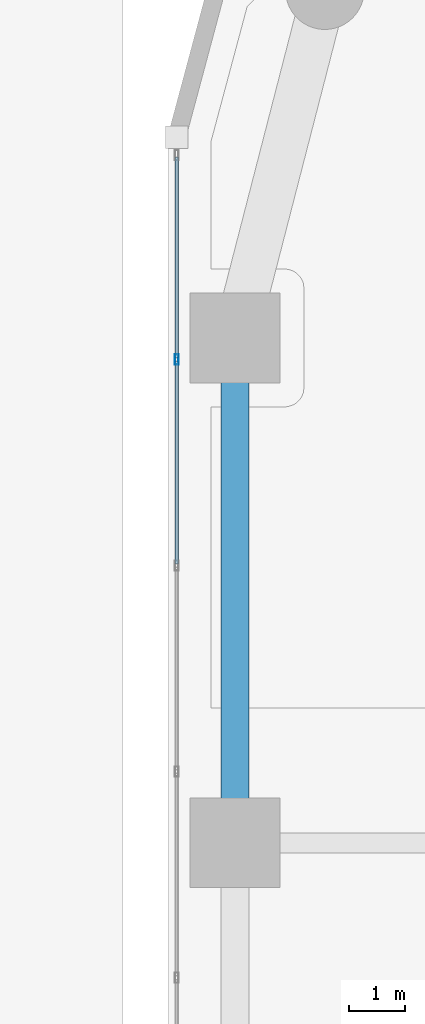
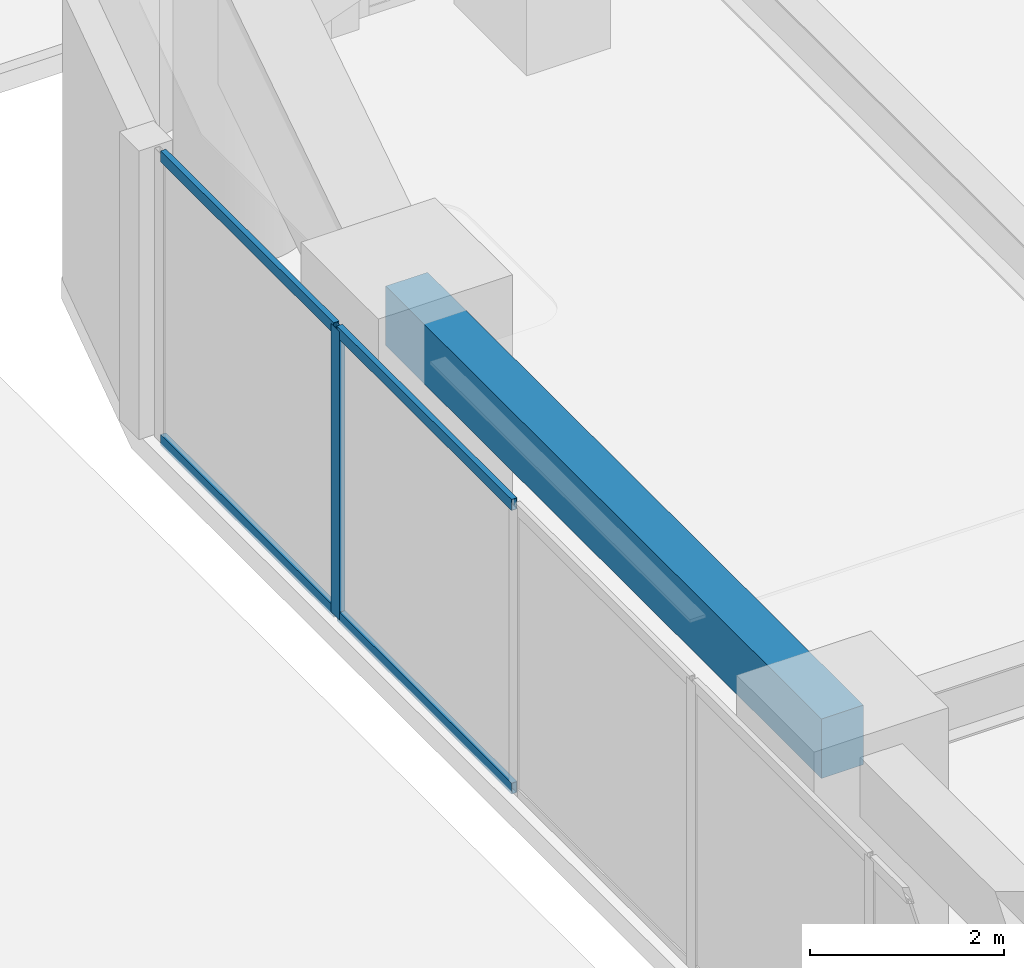
# One storey, part 6 of 38: 5 members, 1 beam, 1 element without a shape of its own.
"""IFC4 building model written with IfcOpenShell, lengths in metres."""

import ifcopenshell
import ifcopenshell.guid

model = None  # the IFC model being written
_history = None  # IfcOwnerHistory: only IFC2X3 demands one
_inside = {}  # id of a spatial element -> (the spatial element, [elements in it])
_under = {}  # id of a project, library or spatial element -> (it, [spatial elements below it])
_declared = {}  # id of a project -> (the project, [libraries it declares])
_typed = {}  # id of a type object -> (the type object, [elements of that type])
_made_of = {}  # id of a material, layer set ... -> (it, [elements and type objects made of it])


def new_model(schema):
    """Start an empty IFC model of exactly this schema.

    Asked for "IFC4X3", IfcOpenShell would pick the latest addendum, in which some entities
    have other attributes; the version numbers below select the first issue.
    IFC2X3 requires an IfcOwnerHistory on every rooted entity: one is made here for all.
    """
    global model, _history
    if schema == "IFC4X3":
        model = ifcopenshell.file(schema_version=(4, 3, 0, 0))
    else:
        model = ifcopenshell.file(schema=schema)
    _inside.clear()
    _under.clear()
    _declared.clear()
    _typed.clear()
    _made_of.clear()
    _history = None
    if model.schema == "IFC2X3":
        org = make("IfcOrganization", Name="unknown")
        user = make(
            "IfcPersonAndOrganization",
            ThePerson=make("IfcPerson", FamilyName="unknown"),
            TheOrganization=org,
        )
        app = make(
            "IfcApplication",
            ApplicationDeveloper=org,
            Version="unknown",
            ApplicationFullName="unknown",
            ApplicationIdentifier="unknown",
        )
        _history = make(
            "IfcOwnerHistory",
            OwningUser=user,
            OwningApplication=app,
            ChangeAction="ADDED",
            CreationDate=0,
        )
    return model


def make(cls, **values):
    """One entity of the class cls with the attributes given. An attribute that is None is left unset."""
    return model.create_entity(
        cls, **{name: value for name, value in values.items() if value is not None}
    )


def rooted(cls, **values):
    """An entity with a GlobalId (a new one), such as an element, a storey or a relation."""
    return make(cls, GlobalId=ifcopenshell.guid.new(), OwnerHistory=_history, **values)


def si_unit(unit_type, name, prefix=None):
    """IfcSIUnit, for example si_unit("LENGTHUNIT", "METRE", prefix="MILLI")."""
    return make("IfcSIUnit", UnitType=unit_type, Prefix=prefix, Name=name)


def assignment(units):
    """IfcUnitAssignment: the units of a project."""
    return None if units is None else make("IfcUnitAssignment", Units=units)


def point(xyz):
    """IfcCartesianPoint."""
    return None if xyz is None else make("IfcCartesianPoint", Coordinates=xyz)


def direction(xyz):
    """IfcDirection."""
    return None if xyz is None else make("IfcDirection", DirectionRatios=xyz)


def frame(location, z_axis=None, x_axis=None):
    """IfcAxis2Placement3D, a coordinate frame: its origin and axes. An axis left out is left unset."""
    return make(
        "IfcAxis2Placement3D",
        Location=point(location),
        Axis=direction(z_axis),
        RefDirection=direction(x_axis),
    )


def frame_2d(location, x_axis=None):
    """IfcAxis2Placement2D, a coordinate frame in the plane: its origin and x axis."""
    return make(
        "IfcAxis2Placement2D", Location=point(location), RefDirection=direction(x_axis)
    )


def origin():
    """The frame at (0, 0, 0) with its axes left unset."""
    return frame((0.0, 0.0, 0.0))


def origin_2d():
    """The frame at (0, 0) in the plane with its x axis left unset."""
    return frame_2d((0.0, 0.0))


def place(relative_to, where):
    """IfcLocalPlacement: puts the frame where relative to a parent placement (None: the world)."""
    return make(
        "IfcLocalPlacement", PlacementRelTo=relative_to, RelativePlacement=where
    )


def context(
    kind, dimensions, precision=None, world=None, true_north=None, identifier=None
):
    """IfcGeometricRepresentationContext, for example the 3D "Model" context."""
    return make(
        "IfcGeometricRepresentationContext",
        ContextIdentifier=identifier,
        ContextType=kind,
        CoordinateSpaceDimension=dimensions,
        Precision=precision,
        WorldCoordinateSystem=world,
        TrueNorth=true_north,
    )


def subcontext(parent, identifier, kind, view, scale=None):
    """IfcGeometricRepresentationSubContext, for example "Body" below "Model"."""
    return make(
        "IfcGeometricRepresentationSubContext",
        ContextIdentifier=identifier,
        ContextType=kind,
        ParentContext=parent,
        TargetScale=scale,
        TargetView=view,
    )


def project(units=None, contexts=None):
    """IfcProject with its units and contexts."""
    return rooted(
        "IfcProject",
        Name="project",
        RepresentationContexts=contexts,
        UnitsInContext=assignment(units),
    )


def spatial(cls, under=None, at=None, **own):
    """A site, building, storey or space (cls), placed at a placement, below another one or the project."""
    s = rooted(cls, ObjectPlacement=at, **own)
    if under is not None:
        _under.setdefault(under.id(), (under, []))[1].append(s)
    return s


def profile(cls, at=None, kind="AREA", **sizes):
    """A parametric profile (cls). Its sizes go by their IFC names, for example OverallWidth=200.0."""
    return make(cls, ProfileType=kind, Position=at, **sizes)


def rectangle(**sizes):
    """IfcRectangleProfileDef."""
    return profile("IfcRectangleProfileDef", **sizes)


def hollow_rectangle(**sizes):
    """IfcRectangleHollowProfileDef."""
    return profile("IfcRectangleHollowProfileDef", **sizes)


def extrude(swept, where, along, depth):
    """IfcExtrudedAreaSolid: the profile swept, set in the frame where, extruded along a direction by depth."""
    return make(
        "IfcExtrudedAreaSolid",
        SweptArea=swept,
        Position=where,
        ExtrudedDirection=direction(along),
        Depth=depth,
    )


def shape(context_of_items, identifier, shape_type, items):
    """IfcShapeRepresentation: the items that make up one representation, for example the "Body"."""
    return make(
        "IfcShapeRepresentation",
        ContextOfItems=context_of_items,
        RepresentationIdentifier=identifier,
        RepresentationType=shape_type,
        Items=items,
    )


def material(Name=None, Category=None):
    """IfcMaterial."""
    return make("IfcMaterial", Name=Name, Category=Category)


def layer(
    of_material, thickness, ventilated=None, Name=None, Category=None, Priority=None
):
    """IfcMaterialLayer: one layer of a wall or slab, of a material (None: an air gap)."""
    return make(
        "IfcMaterialLayer",
        Material=of_material,
        LayerThickness=thickness,
        IsVentilated=ventilated,
        Name=Name,
        Category=Category,
        Priority=Priority,
    )


def layer_set(layers, Name=None):
    """IfcMaterialLayerSet."""
    return make("IfcMaterialLayerSet", MaterialLayers=layers, LayerSetName=Name)


def material_profile(
    of_material, cross_section, Name=None, Category=None, Priority=None
):
    """IfcMaterialProfile: a cross section and its material."""
    return make(
        "IfcMaterialProfile",
        Name=Name,
        Material=of_material,
        Profile=cross_section,
        Priority=Priority,
        Category=Category,
    )


def profile_set(profiles, Name=None, composite=None):
    """IfcMaterialProfileSet."""
    return make(
        "IfcMaterialProfileSet",
        Name=Name,
        MaterialProfiles=profiles,
        CompositeProfile=composite,
    )


def made_of(thing, what):
    """Note that an element or type object is made of a material, layer set ...; save() writes the relation."""
    if what is not None:
        _made_of.setdefault(what.id(), (what, []))[1].append(thing)
    return thing


def type_object(cls, material=None, **own):
    """A type object (cls), such as IfcWallType, which elements share."""
    return made_of(rooted(cls, **own), material)


def element(
    cls,
    number,
    at=None,
    inside=None,
    cuts=None,
    type_object=None,
    material=None,
    context=None,
    identifier="Body",
    shape_type=None,
    held_by="IfcProductDefinitionShape",
    body=None,
    shapes=None,
    **own,
):
    """One element of the class cls, such as IfcWall. Its Tag is "e" and its number.

    at: its placement. inside: the storey or other place that contains it. cuts: it is an
    opening in that element (IfcRelVoidsElement). A single representation is given by context,
    identifier, shape_type and body (its items); several are given by shapes. held_by: the class
    of the entity that holds the representations. save() writes the other relations.
    """
    e = rooted(cls, Tag="e%d" % number, ObjectPlacement=at, **own)
    if body is not None:
        shapes = [shape(context, identifier, shape_type, body)]
    if shapes is not None:
        e.Representation = make(held_by, Representations=shapes)
    if inside is not None:
        _inside.setdefault(inside.id(), (inside, []))[1].append(e)
    if cuts is not None:
        rooted(
            "IfcRelVoidsElement", RelatingBuildingElement=cuts, RelatedOpeningElement=e
        )
    if type_object is not None:
        _typed.setdefault(type_object.id(), (type_object, []))[1].append(e)
    return made_of(e, material)


def aggregate(whole, parts):
    """IfcRelAggregates: a whole, such as a stair, and the parts it consists of."""
    return rooted("IfcRelAggregates", RelatingObject=whole, RelatedObjects=parts)


def save(model, path):
    """Write the relations noted so far, then the file.

    IfcRelAggregates (storeys below a building ...), IfcRelContainedInSpatialStructure (elements
    in a storey), IfcRelDefinesByType, IfcRelAssociatesMaterial and IfcRelDeclares: one each for
    every whole, place, type object, material and project.
    """
    for whole, parts in _under.values():
        aggregate(whole, parts)
    for where, things in _inside.values():
        rooted(
            "IfcRelContainedInSpatialStructure",
            RelatedElements=things,
            RelatingStructure=where,
        )
    for kind, things in _typed.values():
        rooted("IfcRelDefinesByType", RelatedObjects=things, RelatingType=kind)
    for what, things in _made_of.values():
        rooted("IfcRelAssociatesMaterial", RelatedObjects=things, RelatingMaterial=what)
    for by, libraries in _declared.values():
        rooted("IfcRelDeclares", RelatingContext=by, RelatedDefinitions=libraries)
    model.write(path)


model = new_model("IFC4")

# Units and contexts
model_context = context("Model", 3, precision=1e-05, world=origin(), true_north=direction((0.0, 1.0)))
body_context = subcontext(model_context, "Body", "Model", "MODEL_VIEW")
ifc_project = project(units=[si_unit("LENGTHUNIT", "METRE"), si_unit("AREAUNIT", "SQUARE_METRE"), si_unit("VOLUMEUNIT", "CUBIC_METRE"), si_unit("PLANEANGLEUNIT", "RADIAN"), si_unit("MASSUNIT", "GRAM", prefix="KILO")], contexts=[model_context])

# Site, building, storey
site_placement = place(None, origin())
site = spatial("IfcSite", under=ifc_project, at=site_placement, CompositionType="ELEMENT")
building_placement = place(site_placement, origin())
building = spatial("IfcBuilding", under=site, at=building_placement, Name="Kiyonajd Concourse Tower", CompositionType="ELEMENT")
storey_placement = place(building_placement, frame((0.0, 0.0, 21.60009765625)))
storey = spatial("IfcBuildingStorey", under=building, at=storey_placement, Name="L06", CompositionType="ELEMENT", Elevation=21.60009765625)

# Beam
ifc_material_1 = material(Name="Precast concrete C50/60", Category="concrete")
ifc_material_profile_1 = material_profile(ifc_material_1, rectangle(XDim=0.5, YDim=0.75, at=origin_2d()), Name="RCBM-500x750")
ifc_profile_set_1 = profile_set([ifc_material_profile_1], Name="Precast concrete C50/60")
beam_type = type_object("IfcBeamType", Name="BM-SPAN-RC", PredefinedType="SPANDREL", material=ifc_profile_set_1)
beam_placement = place(storey_placement, frame((19.199951171875, 53.39990234375, 3.264892578125), z_axis=(0.0, -1.0, 0.0), x_axis=(1.0, 0.0, 0.0)))
element("IfcBeam", 1, at=beam_placement, inside=storey, type_object=beam_type, Name="L06 Perimeter Bundled Tube Spandrel", PredefinedType="SPANDREL", context=body_context, shape_type="SweptSolid", body=[
    extrude(rectangle(XDim=0.5, YDim=0.75, at=origin_2d()), origin(), (0.0, 0.0, 1.0), 9.0),
])

# Curtain wall, members
ifc_material_2 = material(Name="Thermally Broken Anodised Aluminium", Category="aluminium")
ifc_layer = layer(ifc_material_2, 0.179931640625)
ifc_layer_set = layer_set([ifc_layer], Name="Thermally Broken Anodised Aluminium")
curtain_wall_type = type_object("IfcCurtainWallType", Name="CW-SYS-02", PredefinedType="NOTDEFINED", material=ifc_layer_set)
curtain_wall_placement = place(storey_placement, origin())
curtain_wall = element("IfcCurtainWall", 2, at=curtain_wall_placement, inside=storey, type_object=curtain_wall_type, Name="L06 Unitised Curtain Wall CW2", PredefinedType="NOTDEFINED")
ifc_material_profile_2 = material_profile(ifc_material_2, hollow_rectangle(XDim=0.06494140625, YDim=0.179931640625, WallThickness=0.00390625, at=origin_2d()), Name="MULL-65x180")
ifc_profile_set_2 = profile_set([ifc_material_profile_2], Name="Thermally Broken Anodised Aluminium")
member_type_1 = type_object("IfcMemberType", Name="MB-CW-MULL1", PredefinedType="MULLION", material=ifc_profile_set_2)
member_1_placement = place(storey_placement, frame((18.159912109375, 53.015869140625, 0.0), z_axis=(0.0, 0.0, 1.0), x_axis=(-1.0, 0.0, 0.0)))
member_1 = element("IfcMember", 3, at=member_1_placement, type_object=member_type_1, Name="CW2 mullion 6", PredefinedType="MULLION", context=body_context, shape_type="SweptSolid", body=[
    extrude(hollow_rectangle(XDim=0.06494140625, YDim=0.179931640625, WallThickness=0.00390625, at=origin_2d()), origin(), (0.0, 0.0, 1.0), 3.639892578125),
])
ifc_material_profile_3 = material_profile(ifc_material_2, hollow_rectangle(XDim=0.06494140625, YDim=0.139892578125, WallThickness=0.00390625, at=origin_2d()), Name="TRAN-65x140")
ifc_profile_set_3 = profile_set([ifc_material_profile_3], Name="Thermally Broken Anodised Aluminium")
member_type_2 = type_object("IfcMemberType", Name="MB-CW-TRAN1", PredefinedType="USERDEFINED", material=ifc_profile_set_3)
member_2_placement = place(storey_placement, frame((18.159912109375, 49.375, 0.032470703125), z_axis=(0.0, 1.0, 0.0), x_axis=(-1.0, 0.0, 0.0)))
member_2 = element("IfcMember", 4, at=member_2_placement, type_object=member_type_2, Name="CW2 transom 5.1", ObjectType="TRANSOM", PredefinedType="USERDEFINED", context=body_context, shape_type="SweptSolid", body=[
    extrude(hollow_rectangle(XDim=0.06494140625, YDim=0.139892578125, WallThickness=0.00390625, at=origin_2d()), origin(), (0.0, 0.0, 1.0), 3.608154296875),
])
member_3_placement = place(storey_placement, frame((18.159912109375, 49.375, 3.607421875), z_axis=(0.0, 1.0, 0.0), x_axis=(-1.0, 0.0, 0.0)))
member_3 = element("IfcMember", 5, at=member_3_placement, type_object=member_type_2, Name="CW2 transom 5.2", ObjectType="TRANSOM", PredefinedType="USERDEFINED", context=body_context, shape_type="SweptSolid", body=[
    extrude(hollow_rectangle(XDim=0.06494140625, YDim=0.139892578125, WallThickness=0.00390625, at=origin_2d()), origin(), (0.0, 0.0, 1.0), 3.608154296875),
])
member_4_placement = place(storey_placement, frame((18.159912109375, 53.04833984375, 0.032470703125), z_axis=(0.0, 1.0, 0.0), x_axis=(-1.0, 0.0, 0.0)))
member_4 = element("IfcMember", 6, at=member_4_placement, type_object=member_type_2, Name="CW2 transom 6.1", ObjectType="TRANSOM", PredefinedType="USERDEFINED", context=body_context, shape_type="SweptSolid", body=[
    extrude(hollow_rectangle(XDim=0.06494140625, YDim=0.139892578125, WallThickness=0.00390625, at=origin_2d()), origin(), (0.0, 0.0, 1.0), 3.575439453125),
])
member_5_placement = place(storey_placement, frame((18.159912109375, 53.04833984375, 3.607421875), z_axis=(0.0, 1.0, 0.0), x_axis=(-1.0, 0.0, 0.0)))
member_5 = element("IfcMember", 7, at=member_5_placement, type_object=member_type_2, Name="CW2 transom 6.2", ObjectType="TRANSOM", PredefinedType="USERDEFINED", context=body_context, shape_type="SweptSolid", body=[
    extrude(hollow_rectangle(XDim=0.06494140625, YDim=0.139892578125, WallThickness=0.00390625, at=origin_2d()), origin(), (0.0, 0.0, 1.0), 3.575439453125),
])
aggregate(curtain_wall, [member_1, member_2, member_3, member_4, member_5])

save(model, "model.ifc")
